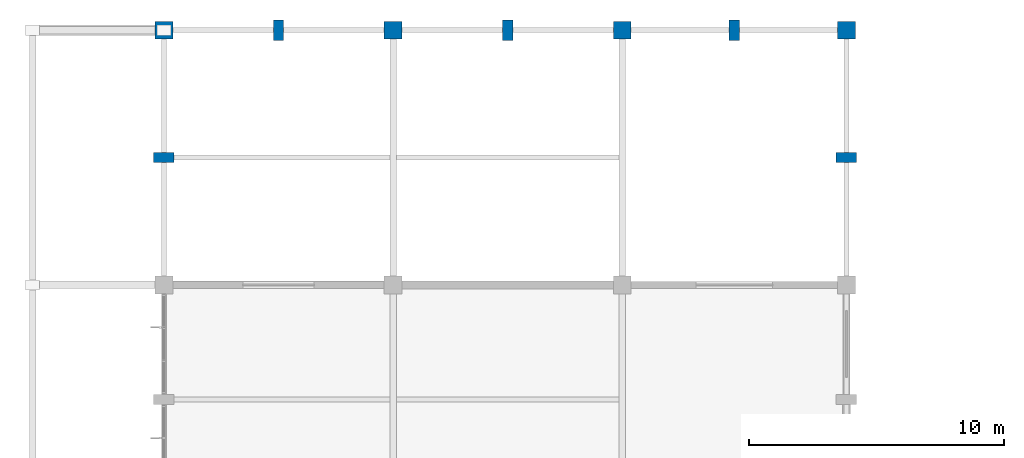
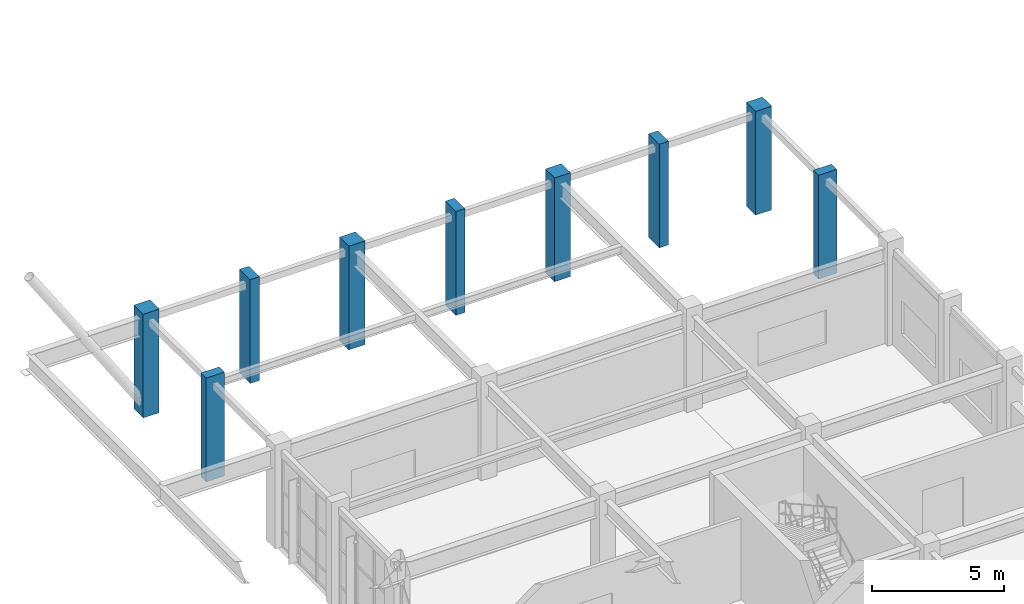
# One storey, part 5 of 99: 9 columns.
"""IFC4 building model written with IfcOpenShell, lengths in metres."""

from ifc_helpers import new_model, si_unit, direction, frame, origin, origin_2d, place, context, subcontext, project, spatial, rectangle, extrude, material, material_profile, profile_set, type_object, element, save


model = new_model("IFC4")

# Units and contexts
model_context = context("Model", 3, precision=1e-05, world=origin(), true_north=direction((0.0, 1.0)))
body_context = subcontext(model_context, "Body", "Model", "MODEL_VIEW")
ifc_project = project(units=[si_unit("LENGTHUNIT", "METRE"), si_unit("AREAUNIT", "SQUARE_METRE"), si_unit("VOLUMEUNIT", "CUBIC_METRE"), si_unit("PLANEANGLEUNIT", "RADIAN"), si_unit("MASSUNIT", "GRAM", prefix="KILO")], contexts=[model_context])

# Site, building, storey
site_placement = place(None, origin())
site = spatial("IfcSite", under=ifc_project, at=site_placement, CompositionType="ELEMENT")
building_placement = place(site_placement, origin())
building = spatial("IfcBuilding", under=site, at=building_placement, Name="Ventoquebrada Cableway Terminal", CompositionType="ELEMENT")
storey_placement = place(building_placement, frame((0.0, 0.0, 9.60009765625)))
storey = spatial("IfcBuildingStorey", under=building, at=storey_placement, Name="L02", CompositionType="ELEMENT", Elevation=9.60009765625)

# Columns
ifc_material = material(Name="Concrete C40/50", Category="concrete")
ifc_material_profile_1 = material_profile(ifc_material, rectangle(XDim=0.699951171875, YDim=0.699951171875, at=origin_2d()), Name="RC-COL-700X700")
ifc_profile_set_1 = profile_set([ifc_material_profile_1], Name="Concrete C40/50")
column_type_1 = type_object("IfcColumnType", Name="COL-RC04", PredefinedType="COLUMN", material=ifc_profile_set_1)
for number, where, z_axis, x_axis, name in (
    (1, (8.199951171875, 114.0, 0.0), (0.0, 0.0, 1.0), (1.0, 0.0, 0.0), "Structural column FC-0212"),
    (2, (17.199951171875, 114.0, 0.0), (0.0, 0.0, 1.0), (1.0, 0.0, 0.0), "Structural column FC-0252"),
    (3, (26.199951171875, 114.0, 0.0), (0.0, 0.0, 1.0), (1.0, 0.0, 0.0), "Structural column FC-0292"),
    (4, (35.0, 114.0, 0.0), (0.0, 0.0, 1.0), (1.0, 0.0, 0.0), "Structural column FC-0324"),
):
    element("IfcColumn", number, at=place(storey_placement, frame(where, z_axis=z_axis, x_axis=x_axis)), inside=storey, type_object=column_type_1, Name=name, PredefinedType="COLUMN", context=body_context, shape_type="SweptSolid", body=[
        extrude(rectangle(XDim=0.699951171875, YDim=0.699951171875, at=origin_2d()), origin(), (0.0, 0.0, 1.0), 4.7998046875),
    ])
ifc_material_profile_2 = material_profile(ifc_material, rectangle(XDim=0.39990234375, YDim=0.800048828125, at=origin_2d()), Name="RC-PIL-400X800")
ifc_profile_set_2 = profile_set([ifc_material_profile_2], Name="Concrete C40/50")
column_type_2 = type_object("IfcColumnType", Name="PIL-RC01", PredefinedType="PILASTER", material=ifc_profile_set_2)
for number, where, z_axis, x_axis, name in (
    (5, (12.699951171875, 114.0, 0.0), (0.0, 0.0, 1.0), (1.0, 0.0, 0.0), "Facade pilaster FPL-0338"),
    (6, (21.699951171875, 114.0, 0.0), (0.0, 0.0, 1.0), (1.0, 0.0, 0.0), "Facade pilaster FPL-0343"),
    (7, (30.60009765625, 114.0, 0.0), (0.0, 0.0, 1.0), (1.0, 0.0, 0.0), "Facade pilaster FPL-0348"),
    (8, (8.199951171875, 109.0, 0.0), (0.0, 0.0, 1.0), (0.0, 1.0, 0.0), "Facade pilaster FPL-0378"),
    (9, (35.0, 109.0, 0.0), (0.0, 0.0, 1.0), (0.0, 1.0, 0.0), "Facade pilaster FPL-0402"),
):
    element("IfcColumn", number, at=place(storey_placement, frame(where, z_axis=z_axis, x_axis=x_axis)), inside=storey, type_object=column_type_2, Name=name, PredefinedType="PILASTER", context=body_context, shape_type="SweptSolid", body=[
        extrude(rectangle(XDim=0.39990234375, YDim=0.800048828125, at=origin_2d()), origin(), (0.0, 0.0, 1.0), 4.7998046875),
    ])

save(model, "model.ifc")
